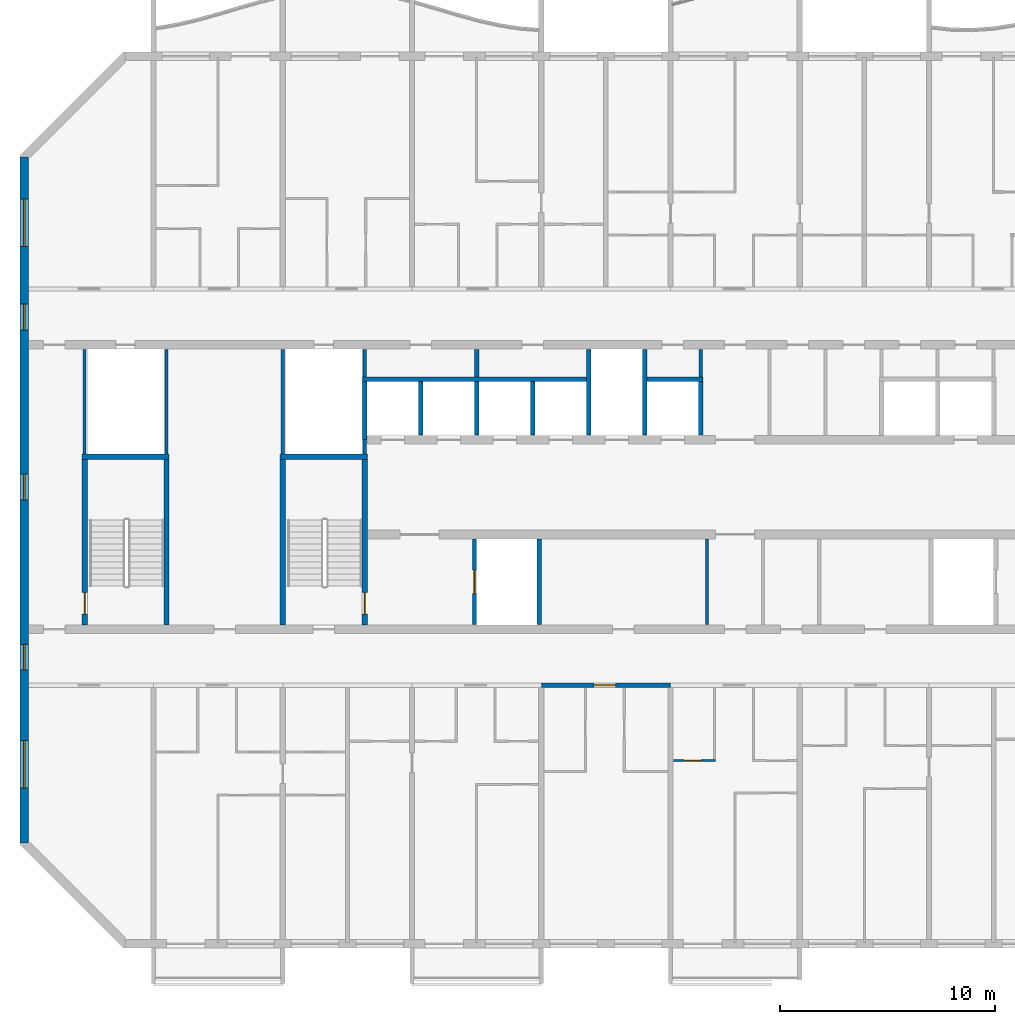
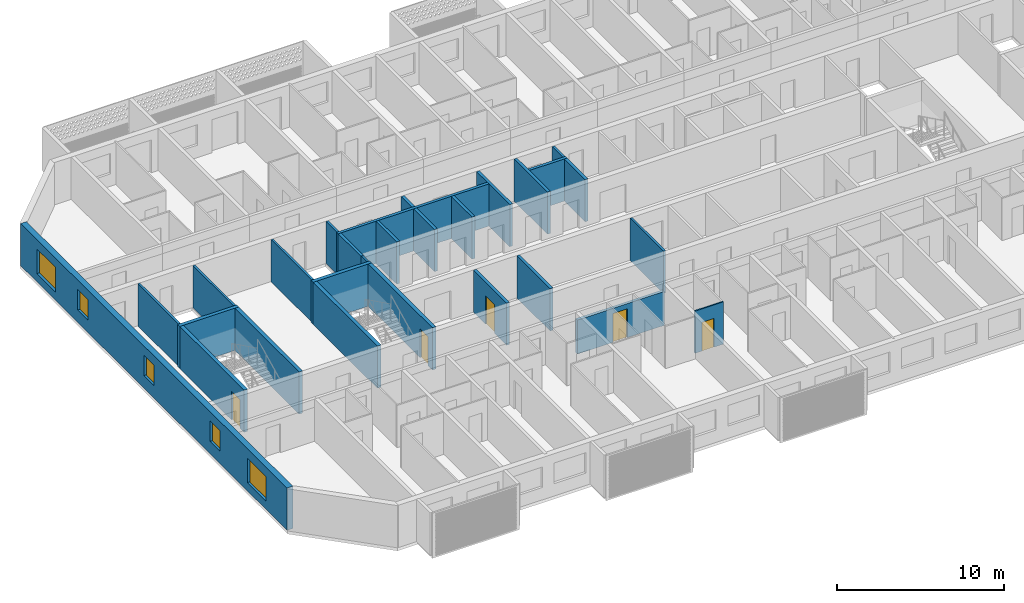
# One storey, part 3 of 27: 28 walls, 5 doors, 5 windows, 10 openings.
"""IFC4 building model written with IfcOpenShell, lengths in metres."""

from ifc_helpers import new_model, si_unit, direction, frame, frame_2d, origin, place, context, subcontext, project, spatial, rectangle, extrude, material, layer, layer_set, type_object, element, fill, save


model = new_model("IFC4")

# Units and contexts
model_context = context("Model", 3, precision=1e-05, world=origin(), true_north=direction((0.0, 1.0)))
body_context = subcontext(model_context, "Body", "Model", "MODEL_VIEW")
ifc_project = project(units=[si_unit("LENGTHUNIT", "METRE"), si_unit("AREAUNIT", "SQUARE_METRE"), si_unit("VOLUMEUNIT", "CUBIC_METRE"), si_unit("PLANEANGLEUNIT", "RADIAN"), si_unit("MASSUNIT", "GRAM", prefix="KILO")], contexts=[model_context])

# Site, building, storey
site_placement = place(None, origin())
site = spatial("IfcSite", under=ifc_project, at=site_placement, CompositionType="ELEMENT")
building_placement = place(site_placement, origin())
building = spatial("IfcBuilding", under=site, at=building_placement, Name="Poui Terraces", CompositionType="ELEMENT")
storey_placement = place(building_placement, frame((0.0, 0.0, 201.60009765625)))
storey = spatial("IfcBuildingStorey", under=building, at=storey_placement, Name="L56", CompositionType="ELEMENT", Elevation=201.60009765625)

# Walls
ifc_material_1 = material(Name="Fire-rated plasterboard wall")
ifc_layer_1 = layer(ifc_material_1, 0.14990234375)
ifc_layer_set_1 = layer_set([ifc_layer_1], Name="Fire-rated plasterboard wall")
wall_type_1 = type_object("IfcWallType", Name="CORRIDOR WALL 150", PredefinedType="PARTITIONING", material=ifc_layer_set_1)
wall_1_placement = place(storey_placement, frame((49.39990234375, 26.300048828125, 0.0), z_axis=(0.0, 0.0, 1.0), x_axis=(0.0, 1.0, 0.0)))
element("IfcWall", 1, at=wall_1_placement, inside=storey, type_object=wall_type_1, Name="CORRIDOR WALL 150", PredefinedType="PARTITIONING", context=body_context, shape_type="SweptSolid", body=[
    extrude(rectangle(XDim=1.2900390625, YDim=0.14990234375, at=frame_2d((0.64501953125, 0.0))), origin(), (0.0, 0.0, 1.0), 3.079833984375),
])
wall_2_placement = place(storey_placement, frame((49.699951171875, 14.81005859375, 0.0), z_axis=(0.0, 0.0, 1.0), x_axis=(0.0, 1.0, 0.0)))
element("IfcWall", 2, at=wall_2_placement, inside=storey, type_object=wall_type_1, Name="CORRIDOR WALL 150", PredefinedType="PARTITIONING", context=body_context, shape_type="SweptSolid", body=[
    extrude(rectangle(XDim=3.97998046875, YDim=0.14990234375, at=frame_2d((1.989990234375, 0.0))), origin(), (0.0, 0.0, 1.0), 3.079833984375),
])

# Wall, opening, door
ifc_material_2 = material(Name="Concrete 50 MPa", Category="concrete")
ifc_layer_2 = layer(ifc_material_2, 0.199951171875)
ifc_layer_set_2 = layer_set([ifc_layer_2], Name="Concrete 50 MPa")
wall_type_2 = type_object("IfcWallType", Name="CORRIDOR WALL 200 50MPa", PredefinedType="SHEAR", material=ifc_layer_set_2)
wall_3_placement = place(storey_placement, frame((42.0, 12.0, 0.0), z_axis=(0.0, 0.0, 1.0), x_axis=(1.0, 0.0, 0.0)))
wall_3 = element("IfcWall", 3, at=wall_3_placement, inside=storey, type_object=wall_type_2, Name="CORRIDOR WALL LINE B BAY 5", PredefinedType="SHEAR", context=body_context, shape_type="SweptSolid", body=[
    extrude(rectangle(XDim=6.0, YDim=0.199951171875, at=frame_2d((3.0, 0.0))), origin(), (0.0, 0.0, 1.0), 2.47998046875),
])
opening_1_placement = place(wall_3_placement, frame((2.449951171875, 0.0, 0.0)))
opening_1 = element("IfcOpeningElement", 4, at=opening_1_placement, cuts=wall_3, Name="Opening FD30S", PredefinedType="OPENING", context=body_context, shape_type="SweptSolid", body=[
    extrude(rectangle(XDim=1.0, YDim=2.10009765625, at=frame_2d((0.5, 1.050048828125))), frame((0.0, 0.10986328125, 0.0), z_axis=(0.0, -1.0, 0.0), x_axis=(1.0, 0.0, 0.0)), (0.0, 0.0, 1.0), 0.219970703125),
])
ifc_material_3 = material(Name="Steel fire door", Category="steel")
door_type_1 = type_object("IfcDoorType", Name="FLAT ENTRANCE DOOR 1000 X 2100", OperationType="NOTDEFINED", PredefinedType="DOOR", material=ifc_material_3)
door_1_placement = place(opening_1_placement, frame((1.0, 0.0, 0.0), z_axis=(0.0, 0.0, 1.0), x_axis=(-1.0, 0.0, 0.0)))
door_1 = element("IfcDoor", 5, at=door_1_placement, inside=storey, type_object=door_type_1, Name="FLAT ENTRANCE DOOR 081", OperationType="SINGLE_SWING_RIGHT", OverallHeight=2.10009765625, OverallWidth=1.0, PredefinedType="DOOR", context=body_context, shape_type="SweptSolid", body=[
    extrude(rectangle(XDim=1.0, YDim=2.10009765625, at=frame_2d((0.5, 1.050048828125))), frame((0.0, 0.02490234375, 0.0), z_axis=(0.0, -1.0, 0.0), x_axis=(1.0, 0.0, 0.0)), (0.0, 0.0, 1.0), 0.050048828125),
])
fill(opening_1, door_1)

# Wall, openings, windows
ifc_layer_3 = layer(ifc_material_2, 0.39990234375)
ifc_layer_set_3 = layer_set([ifc_layer_3], Name="Concrete 50 MPa")
wall_type_3 = type_object("IfcWallType", Name="END WALL 400 50MPa", PredefinedType="SHEAR", material=ifc_layer_set_3)
wall_4_placement = place(storey_placement, frame((18.0, 4.682861328125, 0.0), z_axis=(0.0, 0.0, 1.0), x_axis=(0.0, 1.0, 0.0)))
wall_4 = element("IfcWall", 6, at=wall_4_placement, inside=storey, type_object=wall_type_3, Name="END WALL WEST", PredefinedType="SHEAR", context=body_context, shape_type="SweptSolid", body=[
    extrude(rectangle(XDim=31.834228515625, YDim=0.39990234375, at=frame_2d((15.9169921875, 0.0))), origin(), (0.0, 0.0, 1.0), 3.079833984375),
])
opening_2_placement = place(wall_4_placement, frame((23.817138671875, 0.0, 0.89990234375)))
opening_2 = element("IfcOpeningElement", 7, at=opening_2_placement, cuts=wall_4, Name="Opening W2", PredefinedType="OPENING", context=body_context, shape_type="SweptSolid", body=[
    extrude(rectangle(XDim=1.199951171875, YDim=1.5, at=frame_2d((0.60009765625, 0.75))), frame((0.0, 0.2099609375, 0.0), z_axis=(0.0, -1.0, 0.0), x_axis=(1.0, 0.0, 0.0)), (0.0, 0.0, 1.0), 0.419921875),
])
opening_3_placement = place(wall_4_placement, frame((8.01708984375, 0.0, 0.89990234375)))
opening_3 = element("IfcOpeningElement", 8, at=opening_3_placement, cuts=wall_4, Name="Opening W2", PredefinedType="OPENING", context=body_context, shape_type="SweptSolid", body=[
    extrude(rectangle(XDim=1.199951171875, YDim=1.5, at=frame_2d((0.60009765625, 0.75))), frame((0.0, 0.2099609375, 0.0), z_axis=(0.0, -1.0, 0.0), x_axis=(1.0, 0.0, 0.0)), (0.0, 0.0, 1.0), 0.419921875),
])
opening_4_placement = place(wall_4_placement, frame((27.693603515625, 0.0, 0.60009765625)))
opening_4 = element("IfcOpeningElement", 9, at=opening_4_placement, cuts=wall_4, Name="Opening W3", PredefinedType="OPENING", context=body_context, shape_type="SweptSolid", body=[
    extrude(rectangle(XDim=2.199951171875, YDim=1.800048828125, at=frame_2d((1.10009765625, 0.89990234375))), frame((0.0, 0.2099609375, 0.0), z_axis=(0.0, -1.0, 0.0), x_axis=(1.0, 0.0, 0.0)), (0.0, 0.0, 1.0), 0.419921875),
])
opening_5_placement = place(wall_4_placement, frame((2.541015625, 0.0, 0.60009765625)))
opening_5 = element("IfcOpeningElement", 10, at=opening_5_placement, cuts=wall_4, Name="Opening W3", PredefinedType="OPENING", context=body_context, shape_type="SweptSolid", body=[
    extrude(rectangle(XDim=2.199951171875, YDim=1.800048828125, at=frame_2d((1.10009765625, 0.89990234375))), frame((0.0, 0.2099609375, 0.0), z_axis=(0.0, -1.0, 0.0), x_axis=(1.0, 0.0, 0.0)), (0.0, 0.0, 1.0), 0.419921875),
])
opening_6_placement = place(wall_4_placement, frame((15.917236328125, 0.0, 0.89990234375)))
opening_6 = element("IfcOpeningElement", 11, at=opening_6_placement, cuts=wall_4, Name="Opening W2", PredefinedType="OPENING", context=body_context, shape_type="SweptSolid", body=[
    extrude(rectangle(XDim=1.199951171875, YDim=1.5, at=frame_2d((0.60009765625, 0.75))), frame((0.0, 0.2099609375, 0.0), z_axis=(0.0, -1.0, 0.0), x_axis=(1.0, 0.0, 0.0)), (0.0, 0.0, 1.0), 0.419921875),
])
ifc_material_4 = material(Name="Clear glass in aluminium frame", Category="aluminium")
window_type_1 = type_object("IfcWindowType", Name="WINDOW 1200X1500", PartitioningType="SINGLE_PANEL", PredefinedType="WINDOW", material=ifc_material_4)
window_1_placement = place(opening_2_placement, origin())
window_1 = element("IfcWindow", 12, at=window_1_placement, inside=storey, type_object=window_type_1, Name="W2 WINDOW", OverallHeight=1.5, OverallWidth=1.199951171875, PartitioningType="SINGLE_PANEL", PredefinedType="WINDOW", context=body_context, shape_type="SweptSolid", body=[
    extrude(rectangle(XDim=1.199951171875, YDim=1.5, at=frame_2d((0.60009765625, 0.75))), frame((0.0, 0.030029296875, 0.0), z_axis=(0.0, -1.0, 0.0), x_axis=(1.0, 0.0, 0.0)), (0.0, 0.0, 1.0), 0.06005859375),
])
fill(opening_2, window_1)
window_2_placement = place(opening_3_placement, origin())
window_2 = element("IfcWindow", 13, at=window_2_placement, inside=storey, type_object=window_type_1, Name="W2 WINDOW", OverallHeight=1.5, OverallWidth=1.199951171875, PartitioningType="SINGLE_PANEL", PredefinedType="WINDOW", context=body_context, shape_type="SweptSolid", body=[
    extrude(rectangle(XDim=1.199951171875, YDim=1.5, at=frame_2d((0.60009765625, 0.75))), frame((0.0, 0.030029296875, 0.0), z_axis=(0.0, -1.0, 0.0), x_axis=(1.0, 0.0, 0.0)), (0.0, 0.0, 1.0), 0.06005859375),
])
fill(opening_3, window_2)
window_3_placement = place(opening_6_placement, origin())
window_3 = element("IfcWindow", 14, at=window_3_placement, inside=storey, type_object=window_type_1, Name="W2 WINDOW", OverallHeight=1.5, OverallWidth=1.199951171875, PartitioningType="SINGLE_PANEL", PredefinedType="WINDOW", context=body_context, shape_type="SweptSolid", body=[
    extrude(rectangle(XDim=1.199951171875, YDim=1.5, at=frame_2d((0.60009765625, 0.75))), frame((0.0, 0.030029296875, 0.0), z_axis=(0.0, -1.0, 0.0), x_axis=(1.0, 0.0, 0.0)), (0.0, 0.0, 1.0), 0.06005859375),
])
fill(opening_6, window_3)
window_type_2 = type_object("IfcWindowType", Name="WINDOW 2200X1800", PartitioningType="DOUBLE_PANEL_HORIZONTAL", PredefinedType="WINDOW", material=ifc_material_4)
window_4_placement = place(opening_4_placement, origin())
window_4 = element("IfcWindow", 15, at=window_4_placement, inside=storey, type_object=window_type_2, Name="W3 WINDOW", OverallHeight=1.800048828125, OverallWidth=2.199951171875, PartitioningType="DOUBLE_PANEL_HORIZONTAL", PredefinedType="WINDOW", context=body_context, shape_type="SweptSolid", body=[
    extrude(rectangle(XDim=2.199951171875, YDim=1.800048828125, at=frame_2d((1.10009765625, 0.89990234375))), frame((0.0, 0.030029296875, 0.0), z_axis=(0.0, -1.0, 0.0), x_axis=(1.0, 0.0, 0.0)), (0.0, 0.0, 1.0), 0.06005859375),
])
fill(opening_4, window_4)
window_5_placement = place(opening_5_placement, origin())
window_5 = element("IfcWindow", 16, at=window_5_placement, inside=storey, type_object=window_type_2, Name="W3 WINDOW", OverallHeight=1.800048828125, OverallWidth=2.199951171875, PartitioningType="DOUBLE_PANEL_HORIZONTAL", PredefinedType="WINDOW", context=body_context, shape_type="SweptSolid", body=[
    extrude(rectangle(XDim=2.199951171875, YDim=1.800048828125, at=frame_2d((1.10009765625, 0.89990234375))), frame((0.0, 0.030029296875, 0.0), z_axis=(0.0, -1.0, 0.0), x_axis=(1.0, 0.0, 0.0)), (0.0, 0.0, 1.0), 0.06005859375),
])
fill(opening_5, window_5)

# Wall, opening, door
ifc_material_5 = material(Name="Plasterboard partition")
ifc_layer_4 = layer(ifc_material_5, 0.10009765625)
ifc_layer_set_4 = layer_set([ifc_layer_4], Name="Plasterboard partition")
wall_type_4 = type_object("IfcWallType", Name="FLAT PARTITION 100", PredefinedType="PARTITIONING", material=ifc_layer_set_4)
wall_5_placement = place(storey_placement, frame((48.135009765625, 8.5, 0.0), z_axis=(0.0, 0.0, 1.0), x_axis=(1.0, 0.0, 0.0)))
wall_5 = element("IfcWall", 17, at=wall_5_placement, inside=storey, type_object=wall_type_4, Name="FLAT PARTITION 100", PredefinedType="PARTITIONING", context=body_context, shape_type="SweptSolid", body=[
    extrude(rectangle(XDim=1.965087890625, YDim=0.10009765625, at=frame_2d((0.982421875, 0.0))), origin(), (0.0, 0.0, 1.0), 3.079833984375),
])
opening_7_placement = place(wall_5_placement, frame((0.489990234375, 0.0, 0.0)))
opening_7 = element("IfcOpeningElement", 18, at=opening_7_placement, cuts=wall_5, Name="Opening D80", PredefinedType="OPENING", context=body_context, shape_type="SweptSolid", body=[
    extrude(rectangle(XDim=0.800048828125, YDim=2.10009765625, at=frame_2d((0.39990234375, 1.050048828125))), frame((0.0, 0.06005859375, 0.0), z_axis=(0.0, -1.0, 0.0), x_axis=(1.0, 0.0, 0.0)), (0.0, 0.0, 1.0), 0.1201171875),
])
ifc_material_6 = material(Name="Solid core timber door", Category="wood")
door_type_2 = type_object("IfcDoorType", Name="BATHROOM, LAUNDRY AND STORE DOOR 800 X 2100", OperationType="NOTDEFINED", PredefinedType="DOOR", material=ifc_material_6)
door_2_placement = place(opening_7_placement, origin())
door_2 = element("IfcDoor", 19, at=door_2_placement, inside=storey, type_object=door_type_2, Name="BATHROOM, LAUNDRY AND STORE DOOR 083", OperationType="SINGLE_SWING_LEFT", OverallHeight=2.10009765625, OverallWidth=0.800048828125, PredefinedType="DOOR", context=body_context, shape_type="SweptSolid", body=[
    extrude(rectangle(XDim=0.800048828125, YDim=2.10009765625, at=frame_2d((0.39990234375, 1.050048828125))), frame((0.0, 0.02490234375, 0.0), z_axis=(0.0, -1.0, 0.0), x_axis=(1.0, 0.0, 0.0)), (0.0, 0.0, 1.0), 0.050048828125),
])
fill(opening_7, door_2)

# Walls
ifc_material_7 = material(Name="Fire-rated masonry wall", Category="masonry")
ifc_layer_5 = layer(ifc_material_7, 0.199951171875)
ifc_layer_set_5 = layer_set([ifc_layer_5], Name="Fire-rated masonry wall")
wall_type_5 = type_object("IfcWallType", Name="PLANT ROOM WALL 200", PredefinedType="PARTITIONING", material=ifc_layer_set_5)
wall_6_placement = place(storey_placement, frame((39.0, 26.300048828125, 0.0), z_axis=(0.0, 0.0, 1.0), x_axis=(0.0, 1.0, 0.0)))
element("IfcWall", 20, at=wall_6_placement, inside=storey, type_object=wall_type_5, Name="PLANT ROOM WALL 200", PredefinedType="PARTITIONING", context=body_context, shape_type="SweptSolid", body=[
    extrude(rectangle(XDim=1.2900390625, YDim=0.199951171875, at=frame_2d((0.64501953125, 0.0))), origin(), (0.0, 0.0, 1.0), 3.079833984375),
])
ifc_material_8 = material(Name="Fire-rated plasterboard riser wall")
ifc_layer_6 = layer(ifc_material_8, 0.14990234375)
ifc_layer_set_6 = layer_set([ifc_layer_6], Name="Fire-rated plasterboard riser wall")
wall_type_6 = type_object("IfcWallType", Name="RISER WALL 150", PredefinedType="PARTITIONING", material=ifc_layer_set_6)
for number, where, z_axis, x_axis, name in (
    (21, (20.800048828125, 22.735107421875, 0.0), (0.0, 0.0, 1.0), (0.0, 1.0, 0.0), "RISER WALL 150"),
    (22, (24.60009765625, 22.735107421875, 0.0), (0.0, 0.0, 1.0), (0.0, 1.0, 0.0), "RISER WALL 150"),
    (23, (30.0, 22.735107421875, 0.0), (0.0, 0.0, 1.0), (0.0, 1.0, 0.0), "RISER WALL 150"),
):
    element("IfcWall", number, at=place(storey_placement, frame(where, z_axis=z_axis, x_axis=x_axis)), inside=storey, type_object=wall_type_6, Name=name, PredefinedType="PARTITIONING", context=body_context, shape_type="SweptSolid", body=[
        extrude(rectangle(XDim=4.85498046875, YDim=0.14990234375, at=frame_2d((2.427490234375, 0.0))), origin(), (0.0, 0.0, 1.0), 3.079833984375),
    ])
wall_7_placement = place(storey_placement, frame((33.800048828125, 22.735107421875, 0.0), z_axis=(0.0, 0.0, 1.0), x_axis=(0.0, 1.0, 0.0)))
element("IfcWall", 24, at=wall_7_placement, inside=storey, type_object=wall_type_6, Name="RISER WALL 150", PredefinedType="PARTITIONING", context=body_context, shape_type="SweptSolid", body=[
    extrude(rectangle(XDim=0.664794921875, YDim=0.14990234375, at=frame_2d((0.33251953125, 0.0))), origin(), (0.0, 0.0, 1.0), 3.079833984375),
])
wall_8_placement = place(storey_placement, frame((33.800048828125, 26.300048828125, 0.0), z_axis=(0.0, 0.0, 1.0), x_axis=(0.0, 1.0, 0.0)))
element("IfcWall", 25, at=wall_8_placement, inside=storey, type_object=wall_type_6, Name="RISER WALL 150", PredefinedType="PARTITIONING", context=body_context, shape_type="SweptSolid", body=[
    extrude(rectangle(XDim=1.2900390625, YDim=0.14990234375, at=frame_2d((0.64501953125, 0.0))), origin(), (0.0, 0.0, 1.0), 3.079833984375),
])
ifc_material_9 = material(Name="Fire-rated masonry shaft wall", Category="masonry")
ifc_layer_7 = layer(ifc_material_9, 0.199951171875)
ifc_layer_set_7 = layer_set([ifc_layer_7], Name="Fire-rated masonry shaft wall")
wall_type_7 = type_object("IfcWallType", Name="SHAFT WALL 200", PredefinedType="PARTITIONING", material=ifc_layer_set_7)
wall_9_placement = place(storey_placement, frame((33.699951171875, 26.199951171875, 0.0), z_axis=(0.0, 0.0, 1.0), x_axis=(1.0, 0.0, 0.0)))
element("IfcWall", 26, at=wall_9_placement, inside=storey, type_object=wall_type_7, Name="SHAFT WALL 200", PredefinedType="PARTITIONING", context=body_context, shape_type="SweptSolid", body=[
    extrude(rectangle(XDim=10.400146484375, YDim=0.199951171875, at=frame_2d((5.2001953125, 0.0))), origin(), (0.0, 0.0, 1.0), 3.079833984375),
])
wall_10_placement = place(storey_placement, frame((46.89990234375, 26.199951171875, 0.0), z_axis=(0.0, 0.0, 1.0), x_axis=(1.0, 0.0, 0.0)))
element("IfcWall", 27, at=wall_10_placement, inside=storey, type_object=wall_type_7, Name="SHAFT WALL 200", PredefinedType="PARTITIONING", context=body_context, shape_type="SweptSolid", body=[
    extrude(rectangle(XDim=2.60009765625, YDim=0.199951171875, at=frame_2d((1.300048828125, 0.0))), origin(), (0.0, 0.0, 1.0), 3.079833984375),
])
wall_11_placement = place(storey_placement, frame((33.800048828125, 23.39990234375, 0.0), z_axis=(0.0, 0.0, 1.0), x_axis=(0.0, 1.0, 0.0)))
element("IfcWall", 28, at=wall_11_placement, inside=storey, type_object=wall_type_7, Name="SHAFT WALL 200", PredefinedType="PARTITIONING", context=body_context, shape_type="SweptSolid", body=[
    extrude(rectangle(XDim=2.7001953125, YDim=0.199951171875, at=frame_2d((1.35009765625, 0.0))), origin(), (0.0, 0.0, 1.0), 3.079833984375),
])
wall_12_placement = place(storey_placement, frame((36.39990234375, 23.610107421875, 0.0), z_axis=(0.0, 0.0, 1.0), x_axis=(0.0, 1.0, 0.0)))
element("IfcWall", 29, at=wall_12_placement, inside=storey, type_object=wall_type_7, Name="SHAFT WALL 200", PredefinedType="PARTITIONING", context=body_context, shape_type="SweptSolid", body=[
    extrude(rectangle(XDim=2.489990234375, YDim=0.199951171875, at=frame_2d((1.2451171875, 0.0))), origin(), (0.0, 0.0, 1.0), 3.079833984375),
])

# Wall, opening, door
wall_13_placement = place(storey_placement, frame((38.89990234375, 14.81005859375, 0.0), z_axis=(0.0, 0.0, 1.0), x_axis=(0.0, 1.0, 0.0)))
wall_13 = element("IfcWall", 30, at=wall_13_placement, inside=storey, type_object=wall_type_7, Name="SHAFT WALL 200", PredefinedType="PARTITIONING", context=body_context, shape_type="SweptSolid", body=[
    extrude(rectangle(XDim=3.97998046875, YDim=0.199951171875, at=frame_2d((1.989990234375, 0.0))), origin(), (0.0, 0.0, 1.0), 3.079833984375),
])
opening_8_placement = place(wall_13_placement, frame((1.43994140625, 0.0, 0.0)))
opening_8 = element("IfcOpeningElement", 31, at=opening_8_placement, cuts=wall_13, Name="Opening LD", PredefinedType="OPENING", context=body_context, shape_type="SweptSolid", body=[
    extrude(rectangle(XDim=1.10009765625, YDim=2.10009765625, at=frame_2d((0.550048828125, 1.050048828125))), frame((0.0, 0.10986328125, 0.0), z_axis=(0.0, -1.0, 0.0), x_axis=(1.0, 0.0, 0.0)), (0.0, 0.0, 1.0), 0.219970703125),
])
ifc_material_10 = material(Name="Stainless steel sliding door", Category="steel")
door_type_3 = type_object("IfcDoorType", Name="LIFT LANDING DOOR 1100 X 2100", OperationType="DOUBLE_DOOR_SLIDING", PredefinedType="DOOR", material=ifc_material_10)
door_3_placement = place(opening_8_placement, origin())
door_3 = element("IfcDoor", 32, at=door_3_placement, inside=storey, type_object=door_type_3, Name="LANDING DOOR", OperationType="DOUBLE_DOOR_SLIDING", OverallHeight=2.10009765625, OverallWidth=1.10009765625, PredefinedType="DOOR", context=body_context, shape_type="SweptSolid", body=[
    extrude(rectangle(XDim=1.10009765625, YDim=2.10009765625, at=frame_2d((0.550048828125, 1.050048828125))), frame((0.0, 0.02490234375, 0.0), z_axis=(0.0, -1.0, 0.0), x_axis=(1.0, 0.0, 0.0)), (0.0, 0.0, 1.0), 0.050048828125),
])
fill(opening_8, door_3)

# Walls
for number, where, z_axis, x_axis, name in (
    (33, (39.0, 23.610107421875, 0.0), (0.0, 0.0, 1.0), (0.0, 1.0, 0.0), "SHAFT WALL 200"),
    (34, (41.60009765625, 23.610107421875, 0.0), (0.0, 0.0, 1.0), (0.0, 1.0, 0.0), "SHAFT WALL 200"),
):
    element("IfcWall", number, at=place(storey_placement, frame(where, z_axis=z_axis, x_axis=x_axis)), inside=storey, type_object=wall_type_7, Name=name, PredefinedType="PARTITIONING", context=body_context, shape_type="SweptSolid", body=[
        extrude(rectangle(XDim=2.489990234375, YDim=0.199951171875, at=frame_2d((1.2451171875, 0.0))), origin(), (0.0, 0.0, 1.0), 3.079833984375),
    ])
for number, where, z_axis, x_axis, name in (
    (35, (41.89990234375, 14.81005859375, 0.0), (0.0, 0.0, 1.0), (0.0, 1.0, 0.0), "SHAFT WALL 200"),
    (36, (44.199951171875, 23.610107421875, 0.0), (0.0, 0.0, 1.0), (0.0, 1.0, 0.0), "SHAFT WALL 200"),
    (37, (46.800048828125, 23.610107421875, 0.0), (0.0, 0.0, 1.0), (0.0, 1.0, 0.0), "SHAFT WALL 200"),
):
    element("IfcWall", number, at=place(storey_placement, frame(where, z_axis=z_axis, x_axis=x_axis)), inside=storey, type_object=wall_type_7, Name=name, PredefinedType="PARTITIONING", context=body_context, shape_type="SweptSolid", body=[
        extrude(rectangle(XDim=3.97998046875, YDim=0.199951171875, at=frame_2d((1.989990234375, 0.0))), origin(), (0.0, 0.0, 1.0), 3.079833984375),
    ])
wall_14_placement = place(storey_placement, frame((49.39990234375, 23.610107421875, 0.0), z_axis=(0.0, 0.0, 1.0), x_axis=(0.0, 1.0, 0.0)))
element("IfcWall", 38, at=wall_14_placement, inside=storey, type_object=wall_type_7, Name="SHAFT WALL 200", PredefinedType="PARTITIONING", context=body_context, shape_type="SweptSolid", body=[
    extrude(rectangle(XDim=2.489990234375, YDim=0.199951171875, at=frame_2d((1.2451171875, 0.0))), origin(), (0.0, 0.0, 1.0), 3.079833984375),
])
ifc_layer_8 = layer(ifc_material_2, 0.25)
ifc_layer_set_8 = layer_set([ifc_layer_8], Name="Concrete 50 MPa")
wall_type_8 = type_object("IfcWallType", Name="STAIR CORE WALL 250 50 MPA", PredefinedType="SOLIDWALL", material=ifc_layer_set_8)
wall_15_placement = place(storey_placement, frame((30.0, 14.800048828125, 0.0), z_axis=(0.0, 0.0, 1.0), x_axis=(0.0, 1.0, 0.0)))
element("IfcWall", 39, at=wall_15_placement, inside=storey, type_object=wall_type_8, Name="STAIR CORE WALL", PredefinedType="SOLIDWALL", context=body_context, shape_type="SweptSolid", body=[
    extrude(rectangle(XDim=7.675048828125, YDim=0.25, at=frame_2d((3.83740234375, 0.0))), origin(), (0.0, 0.0, 1.0), 3.079833984375),
])

# Wall, opening, door
wall_16_placement = place(storey_placement, frame((33.800048828125, 14.800048828125, 0.0), z_axis=(0.0, 0.0, 1.0), x_axis=(0.0, 1.0, 0.0)))
wall_16 = element("IfcWall", 40, at=wall_16_placement, inside=storey, type_object=wall_type_8, Name="STAIR CORE WALL", PredefinedType="SOLIDWALL", context=body_context, shape_type="SweptSolid", body=[
    extrude(rectangle(XDim=7.675048828125, YDim=0.25, at=frame_2d((3.83740234375, 0.0))), origin(), (0.0, 0.0, 1.0), 3.079833984375),
])
opening_9_placement = place(wall_16_placement, frame((0.5, 0.0, 0.0)))
opening_9 = element("IfcOpeningElement", 41, at=opening_9_placement, cuts=wall_16, Name="Opening FD60S", PredefinedType="OPENING", context=body_context, shape_type="SweptSolid", body=[
    extrude(rectangle(XDim=1.0, YDim=2.10009765625, at=frame_2d((0.5, 1.050048828125))), frame((0.0, 0.135009765625, 0.0), z_axis=(0.0, -1.0, 0.0), x_axis=(1.0, 0.0, 0.0)), (0.0, 0.0, 1.0), 0.27001953125),
])
door_type_4 = type_object("IfcDoorType", Name="STAIR DOOR 1000 X 2100", OperationType="NOTDEFINED", PredefinedType="DOOR", material=ifc_material_3)
door_4_placement = place(opening_9_placement, origin())
door_4 = element("IfcDoor", 42, at=door_4_placement, inside=storey, type_object=door_type_4, Name="STAIR DOOR 104", OperationType="SINGLE_SWING_LEFT", OverallHeight=2.10009765625, OverallWidth=1.0, PredefinedType="DOOR", context=body_context, shape_type="SweptSolid", body=[
    extrude(rectangle(XDim=1.0, YDim=2.10009765625, at=frame_2d((0.5, 1.050048828125))), frame((0.0, 0.02490234375, 0.0), z_axis=(0.0, -1.0, 0.0), x_axis=(1.0, 0.0, 0.0)), (0.0, 0.0, 1.0), 0.050048828125),
])
fill(opening_9, door_4)

# Wall
wall_17_placement = place(storey_placement, frame((29.875, 22.60009765625, 0.0), z_axis=(0.0, 0.0, 1.0), x_axis=(1.0, 0.0, 0.0)))
element("IfcWall", 43, at=wall_17_placement, inside=storey, type_object=wall_type_8, Name="STAIR CORE WALL", PredefinedType="SOLIDWALL", context=body_context, shape_type="SweptSolid", body=[
    extrude(rectangle(XDim=4.050048828125, YDim=0.25, at=frame_2d((2.02490234375, 0.0))), origin(), (0.0, 0.0, 1.0), 3.079833984375),
])

# Wall, opening, door
wall_18_placement = place(storey_placement, frame((20.800048828125, 14.800048828125, 0.0), z_axis=(0.0, 0.0, 1.0), x_axis=(0.0, 1.0, 0.0)))
wall_18 = element("IfcWall", 44, at=wall_18_placement, inside=storey, type_object=wall_type_8, Name="STAIR CORE WALL", PredefinedType="SOLIDWALL", context=body_context, shape_type="SweptSolid", body=[
    extrude(rectangle(XDim=7.675048828125, YDim=0.25, at=frame_2d((3.83740234375, 0.0))), origin(), (0.0, 0.0, 1.0), 3.079833984375),
])
opening_10_placement = place(wall_18_placement, frame((0.5, 0.0, 0.0)))
opening_10 = element("IfcOpeningElement", 45, at=opening_10_placement, cuts=wall_18, Name="Opening FD60S", PredefinedType="OPENING", context=body_context, shape_type="SweptSolid", body=[
    extrude(rectangle(XDim=1.0, YDim=2.10009765625, at=frame_2d((0.5, 1.050048828125))), frame((0.0, 0.135009765625, 0.0), z_axis=(0.0, -1.0, 0.0), x_axis=(1.0, 0.0, 0.0)), (0.0, 0.0, 1.0), 0.27001953125),
])
door_5_placement = place(opening_10_placement, frame((1.0, 0.0, 0.0), z_axis=(0.0, 0.0, 1.0), x_axis=(-1.0, 0.0, 0.0)))
door_5 = element("IfcDoor", 46, at=door_5_placement, inside=storey, type_object=door_type_4, Name="STAIR DOOR 118", OperationType="SINGLE_SWING_RIGHT", OverallHeight=2.10009765625, OverallWidth=1.0, PredefinedType="DOOR", context=body_context, shape_type="SweptSolid", body=[
    extrude(rectangle(XDim=1.0, YDim=2.10009765625, at=frame_2d((0.5, 1.050048828125))), frame((0.0, 0.02490234375, 0.0), z_axis=(0.0, -1.0, 0.0), x_axis=(1.0, 0.0, 0.0)), (0.0, 0.0, 1.0), 0.050048828125),
])
fill(opening_10, door_5)

# Walls
wall_19_placement = place(storey_placement, frame((24.60009765625, 14.800048828125, 0.0), z_axis=(0.0, 0.0, 1.0), x_axis=(0.0, 1.0, 0.0)))
element("IfcWall", 47, at=wall_19_placement, inside=storey, type_object=wall_type_8, Name="STAIR CORE WALL", PredefinedType="SOLIDWALL", context=body_context, shape_type="SweptSolid", body=[
    extrude(rectangle(XDim=7.675048828125, YDim=0.25, at=frame_2d((3.83740234375, 0.0))), origin(), (0.0, 0.0, 1.0), 3.079833984375),
])
wall_20_placement = place(storey_placement, frame((20.675048828125, 22.60009765625, 0.0), z_axis=(0.0, 0.0, 1.0), x_axis=(1.0, 0.0, 0.0)))
element("IfcWall", 48, at=wall_20_placement, inside=storey, type_object=wall_type_8, Name="STAIR CORE WALL", PredefinedType="SOLIDWALL", context=body_context, shape_type="SweptSolid", body=[
    extrude(rectangle(XDim=4.050048828125, YDim=0.25, at=frame_2d((2.02490234375, 0.0))), origin(), (0.0, 0.0, 1.0), 3.079833984375),
])

save(model, "model.ifc")
